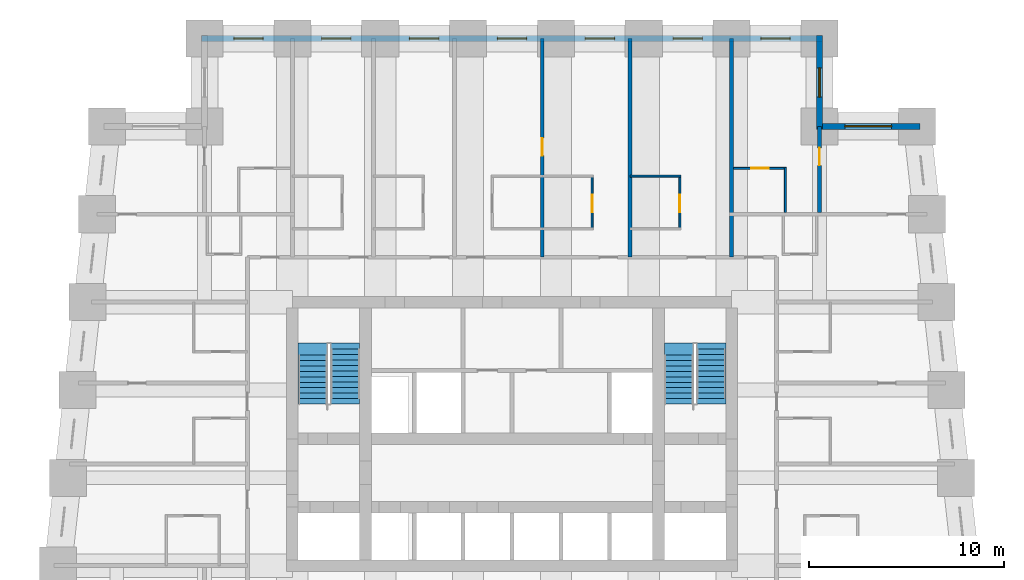
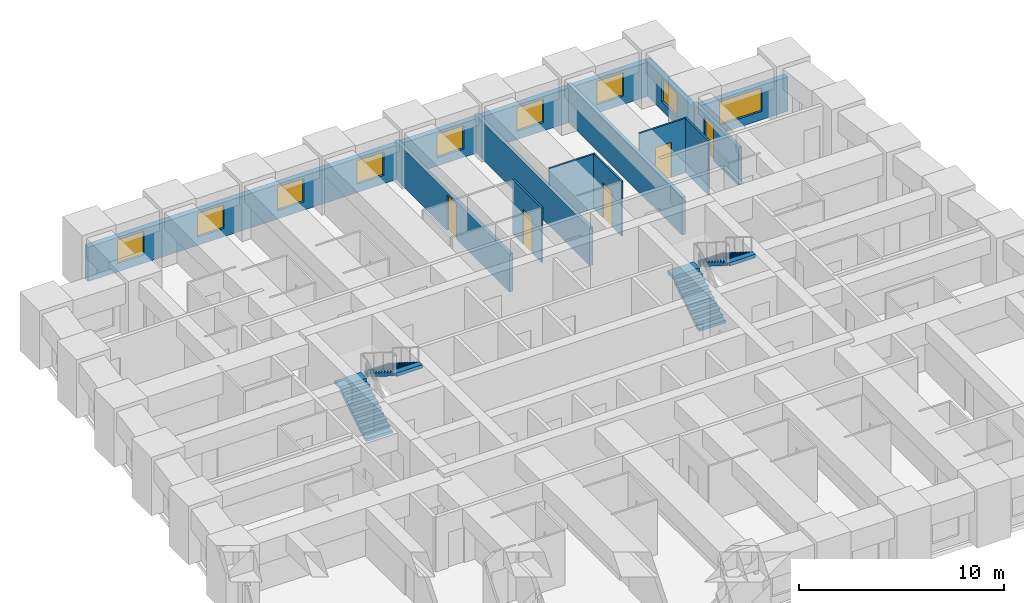
# One storey, part 7 of 8: 12 walls, 9 windows, 5 doors, 4 stair flights, 14 openings, 2 elements without a shape of their own.
"""IFC4 building model written with IfcOpenShell, lengths in metres."""

from ifc_helpers import new_model, si_unit, direction, frame, frame_2d, origin, place, context, subcontext, project, spatial, polyline, rectangle, outline, extrude, material, layer, layer_set, type_object, element, fill, aggregate, save


model = new_model("IFC4")

# Units and contexts
model_context = context("Model", 3, precision=1e-05, world=origin(), true_north=direction((0.0, 1.0)))
body_context = subcontext(model_context, "Body", "Model", "MODEL_VIEW")
ifc_project = project(units=[si_unit("LENGTHUNIT", "METRE"), si_unit("AREAUNIT", "SQUARE_METRE"), si_unit("VOLUMEUNIT", "CUBIC_METRE"), si_unit("PLANEANGLEUNIT", "RADIAN"), si_unit("MASSUNIT", "GRAM", prefix="KILO")], contexts=[model_context])

# Site, building, storey
site_placement = place(None, origin())
site = spatial("IfcSite", under=ifc_project, at=site_placement, CompositionType="ELEMENT")
building_placement = place(site_placement, origin())
building = spatial("IfcBuilding", under=site, at=building_placement, Name="Kilele Tower Hotel", CompositionType="ELEMENT")
storey_placement = place(building_placement, frame((0.0, 0.0, 40.199951171875)))
storey = spatial("IfcBuildingStorey", under=building, at=storey_placement, Name="L08", CompositionType="ELEMENT", Elevation=40.199951171875)

# Wall, opening, door
ifc_material_1 = material(Name="Moisture-resistant board")
ifc_layer_1 = layer(ifc_material_1, 0.10009765625)
ifc_layer_set_1 = layer_set([ifc_layer_1], Name="Moisture-resistant board")
wall_type_1 = type_object("IfcWallType", Name="Bathroom partition 100", PredefinedType="PLUMBINGWALL", material=ifc_layer_set_1)
wall_1_placement = place(storey_placement, frame((28.85009765625, 30.699951171875, 0.0), z_axis=(0.0, 0.0, 1.0), x_axis=(0.0, 1.0, 0.0)))
wall_1 = element("IfcWall", 1, at=wall_1_placement, inside=storey, type_object=wall_type_1, Name="Bathroom partition 100 L08", PredefinedType="PLUMBINGWALL", context=body_context, shape_type="SweptSolid", body=[
    extrude(rectangle(XDim=2.800048828125, YDim=0.10009765625, at=frame_2d((1.39990234375, 0.0))), origin(), (0.0, 0.0, 1.0), 3.25),
])
opening_1_placement = place(wall_1_placement, frame((1.7998046875, 0.0, 0.0), z_axis=(0.0, 0.0, 1.0), x_axis=(-1.0, 0.0, 0.0)))
opening_1 = element("IfcOpeningElement", 2, at=opening_1_placement, cuts=wall_1, Name="Opening D2A", PredefinedType="OPENING", context=body_context, shape_type="SweptSolid", body=[
    extrude(rectangle(XDim=0.89990234375, YDim=2.10009765625, at=frame_2d((0.449951171875, 1.050048828125))), frame((0.0, 0.06005859375, 0.0), z_axis=(0.0, -1.0, 0.0), x_axis=(1.0, 0.0, 0.0)), (0.0, 0.0, 1.0), 0.1201171875),
])
ifc_material_2 = material(Name="Timber door leaf in hardwood frame", Category="wood")
door_type_1 = type_object("IfcDoorType", Name="Bathroom door 900", OperationType="SINGLE_SWING_LEFT", PredefinedType="DOOR", material=ifc_material_2)
door_1_placement = place(opening_1_placement, origin())
door_1 = element("IfcDoor", 3, at=door_1_placement, inside=storey, type_object=door_type_1, Name="Bathroom door 0812B", OperationType="SINGLE_SWING_RIGHT", OverallHeight=2.10009765625, OverallWidth=0.89990234375, PredefinedType="DOOR", context=body_context, shape_type="SweptSolid", body=[
    extrude(rectangle(XDim=0.89990234375, YDim=2.10009765625, at=frame_2d((0.449951171875, 1.050048828125))), frame((0.0, 0.02490234375, 0.0), z_axis=(0.0, -1.0, 0.0), x_axis=(1.0, 0.0, 0.0)), (0.0, 0.0, 1.0), 0.050048828125),
])
fill(opening_1, door_1)

# Wall
wall_2_placement = place(storey_placement, frame((30.800048828125, 33.449951171875, 0.0), z_axis=(0.0, 0.0, 1.0), x_axis=(1.0, 0.0, 0.0)))
element("IfcWall", 4, at=wall_2_placement, inside=storey, type_object=wall_type_1, Name="Bathroom partition 100 L08", PredefinedType="PLUMBINGWALL", context=body_context, shape_type="SweptSolid", body=[
    extrude(rectangle(XDim=2.599853515625, YDim=0.10009765625, at=frame_2d((1.2998046875, 0.0))), origin(), (0.0, 0.0, 1.0), 3.25),
])

# Wall, opening, door
wall_3_placement = place(storey_placement, frame((33.35009765625, 30.699951171875, 0.0), z_axis=(0.0, 0.0, 1.0), x_axis=(0.0, 1.0, 0.0)))
wall_3 = element("IfcWall", 5, at=wall_3_placement, inside=storey, type_object=wall_type_1, Name="Bathroom partition 100 L08", PredefinedType="PLUMBINGWALL", context=body_context, shape_type="SweptSolid", body=[
    extrude(rectangle(XDim=2.800048828125, YDim=0.10009765625, at=frame_2d((1.39990234375, 0.0))), origin(), (0.0, 0.0, 1.0), 3.25),
])
opening_2_placement = place(wall_3_placement, frame((1.7998046875, 0.0, 0.0), z_axis=(0.0, 0.0, 1.0), x_axis=(-1.0, 0.0, 0.0)))
opening_2 = element("IfcOpeningElement", 6, at=opening_2_placement, cuts=wall_3, Name="Opening D2A", PredefinedType="OPENING", context=body_context, shape_type="SweptSolid", body=[
    extrude(rectangle(XDim=0.89990234375, YDim=2.10009765625, at=frame_2d((0.449951171875, 1.050048828125))), frame((0.0, 0.06005859375, 0.0), z_axis=(0.0, -1.0, 0.0), x_axis=(1.0, 0.0, 0.0)), (0.0, 0.0, 1.0), 0.1201171875),
])
door_2_placement = place(opening_2_placement, origin())
door_2 = element("IfcDoor", 7, at=door_2_placement, inside=storey, type_object=door_type_1, Name="Bathroom door 0813B", OperationType="SINGLE_SWING_RIGHT", OverallHeight=2.10009765625, OverallWidth=0.89990234375, PredefinedType="DOOR", context=body_context, shape_type="SweptSolid", body=[
    extrude(rectangle(XDim=0.89990234375, YDim=2.10009765625, at=frame_2d((0.449951171875, 1.050048828125))), frame((0.0, 0.02490234375, 0.0), z_axis=(0.0, -1.0, 0.0), x_axis=(1.0, 0.0, 0.0)), (0.0, 0.0, 1.0), 0.050048828125),
])
fill(opening_2, door_2)

# Wall
wall_4_placement = place(storey_placement, frame((38.75, 31.60009765625, 0.0), z_axis=(0.0, 0.0, 1.0), x_axis=(0.0, 1.0, 0.0)))
element("IfcWall", 8, at=wall_4_placement, inside=storey, type_object=wall_type_1, Name="Bathroom partition 100 L08", PredefinedType="PLUMBINGWALL", context=body_context, shape_type="SweptSolid", body=[
    extrude(rectangle(XDim=2.2998046875, YDim=0.10009765625, at=frame_2d((1.14990234375, 0.0))), origin(), (0.0, 0.0, 1.0), 3.25),
])

# Wall, opening, door
wall_5_placement = place(storey_placement, frame((36.10009765625, 33.85009765625, 0.0), z_axis=(0.0, 0.0, 1.0), x_axis=(1.0, 0.0, 0.0)))
wall_5 = element("IfcWall", 9, at=wall_5_placement, inside=storey, type_object=wall_type_1, Name="Bathroom partition 100 L08", PredefinedType="PLUMBINGWALL", context=body_context, shape_type="SweptSolid", body=[
    extrude(rectangle(XDim=2.699951171875, YDim=0.10009765625, at=frame_2d((1.35009765625, 0.0))), origin(), (0.0, 0.0, 1.0), 3.25),
])
opening_3_placement = place(wall_5_placement, frame((0.89990234375, 0.0, 0.0)))
opening_3 = element("IfcOpeningElement", 10, at=opening_3_placement, cuts=wall_5, Name="Opening D2A", PredefinedType="OPENING", context=body_context, shape_type="SweptSolid", body=[
    extrude(rectangle(XDim=0.89990234375, YDim=2.10009765625, at=frame_2d((0.449951171875, 1.050048828125))), frame((0.0, 0.06005859375, 0.0), z_axis=(0.0, -1.0, 0.0), x_axis=(1.0, 0.0, 0.0)), (0.0, 0.0, 1.0), 0.1201171875),
])
door_3_placement = place(opening_3_placement, origin())
door_3 = element("IfcDoor", 11, at=door_3_placement, inside=storey, type_object=door_type_1, Name="Bathroom door 0824B", OperationType="SINGLE_SWING_LEFT", OverallHeight=2.10009765625, OverallWidth=0.89990234375, PredefinedType="DOOR", context=body_context, shape_type="SweptSolid", body=[
    extrude(rectangle(XDim=0.89990234375, YDim=2.10009765625, at=frame_2d((0.449951171875, 1.050048828125))), frame((0.0, 0.02490234375, 0.0), z_axis=(0.0, -1.0, 0.0), x_axis=(1.0, 0.0, 0.0)), (0.0, 0.0, 1.0), 0.050048828125),
])
fill(opening_3, door_3)

ifc_material_3 = material(Name="Blockwork, plastered both sides", Category="masonry")
ifc_layer_2 = layer(ifc_material_3, 0.199951171875)
ifc_layer_set_2 = layer_set([ifc_layer_2], Name="Blockwork, plastered both sides")
wall_type_2 = type_object("IfcWallType", Name="Partition wall 200", PredefinedType="PARTITIONING", material=ifc_layer_set_2)
wall_6_placement = place(storey_placement, frame((40.5, 31.60009765625, 0.0), z_axis=(0.0, 0.0, 1.0), x_axis=(0.0, 1.0, 0.0)))
wall_6 = element("IfcWall", 12, at=wall_6_placement, inside=storey, type_object=wall_type_2, Name="Partition wall 200 L08", PredefinedType="PARTITIONING", context=body_context, shape_type="SweptSolid", body=[
    extrude(rectangle(XDim=4.39990234375, YDim=0.199951171875, at=frame_2d((2.199951171875, 0.0))), origin(), (0.0, 0.0, 1.0), 2.25),
])
opening_4_placement = place(wall_6_placement, frame((2.39990234375, 0.0, 0.0)))
opening_4 = element("IfcOpeningElement", 13, at=opening_4_placement, cuts=wall_6, Name="Opening D3", PredefinedType="OPENING", context=body_context, shape_type="SweptSolid", body=[
    extrude(rectangle(XDim=0.89990234375, YDim=2.10009765625, at=frame_2d((0.449951171875, 1.050048828125))), frame((0.0, 0.10986328125, 0.0), z_axis=(0.0, -1.0, 0.0), x_axis=(1.0, 0.0, 0.0)), (0.0, 0.0, 1.0), 0.219970703125),
])
ifc_material_4 = material(Name="Timber door leaf in hardwood frame", Category="wood")
door_type_2 = type_object("IfcDoorType", Name="Suite internal door 900", OperationType="SINGLE_SWING_LEFT", PredefinedType="DOOR", material=ifc_material_4)
door_4_placement = place(opening_4_placement, origin())
door_4 = element("IfcDoor", 14, at=door_4_placement, inside=storey, type_object=door_type_2, Name="Suite door 0825", OperationType="SINGLE_SWING_RIGHT", OverallHeight=2.10009765625, OverallWidth=0.89990234375, PredefinedType="DOOR", context=body_context, shape_type="SweptSolid", body=[
    extrude(rectangle(XDim=0.89990234375, YDim=2.10009765625, at=frame_2d((0.449951171875, 1.050048828125))), frame((0.0, 0.02490234375, 0.0), z_axis=(0.0, -1.0, 0.0), x_axis=(1.0, 0.0, 0.0)), (0.0, 0.0, 1.0), 0.050048828125),
])
fill(opening_4, door_4)

ifc_material_5 = material(Name="Blockwork, plastered both sides", Category="masonry")
ifc_layer_3 = layer(ifc_material_5, 0.199951171875)
ifc_layer_set_3 = layer_set([ifc_layer_3], Name="Blockwork, plastered both sides")
wall_type_3 = type_object("IfcWallType", Name="Party wall 200", PredefinedType="PARTITIONING", material=ifc_layer_set_3)
wall_7_placement = place(storey_placement, frame((26.300048828125, 29.300048828125, 0.0), z_axis=(0.0, 0.0, 1.0), x_axis=(0.0, 1.0, 0.0)))
wall_7 = element("IfcWall", 15, at=wall_7_placement, inside=storey, type_object=wall_type_3, Name="Party wall 200 L08", PredefinedType="PARTITIONING", context=body_context, shape_type="SweptSolid", body=[
    extrude(rectangle(XDim=11.199951171875, YDim=0.199951171875, at=frame_2d((5.60009765625, 0.0))), origin(), (0.0, 0.0, 1.0), 2.25),
])
opening_5_placement = place(wall_7_placement, frame((5.199951171875, 0.0, 0.0)))
opening_5 = element("IfcOpeningElement", 16, at=opening_5_placement, cuts=wall_7, Name="Opening D3C", PredefinedType="OPENING", context=body_context, shape_type="SweptSolid", body=[
    extrude(rectangle(XDim=0.89990234375, YDim=2.10009765625, at=frame_2d((0.449951171875, 1.050048828125))), frame((0.0, 0.10986328125, 0.0), z_axis=(0.0, -1.0, 0.0), x_axis=(1.0, 0.0, 0.0)), (0.0, 0.0, 1.0), 0.219970703125),
])
ifc_material_6 = material(Name="Timber door leaf in hardwood frame", Category="wood")
door_type_3 = type_object("IfcDoorType", Name="Connecting door 900", OperationType="SINGLE_SWING_LEFT", PredefinedType="DOOR", material=ifc_material_6)
door_5_placement = place(opening_5_placement, origin())
door_5 = element("IfcDoor", 17, at=door_5_placement, inside=storey, type_object=door_type_3, Name="Connecting door 0812", OperationType="SINGLE_SWING_LEFT", OverallHeight=2.10009765625, OverallWidth=0.89990234375, PredefinedType="DOOR", context=body_context, shape_type="SweptSolid", body=[
    extrude(rectangle(XDim=0.89990234375, YDim=2.10009765625, at=frame_2d((0.449951171875, 1.050048828125))), frame((0.0, 0.02490234375, 0.0), z_axis=(0.0, -1.0, 0.0), x_axis=(1.0, 0.0, 0.0)), (0.0, 0.0, 1.0), 0.050048828125),
])
fill(opening_5, door_5)

# Walls
for number, where, z_axis, x_axis, name in (
    (18, (30.800048828125, 29.300048828125, 0.0), (0.0, 0.0, 1.0), (0.0, 1.0, 0.0), "Party wall 200 L08"),
    (19, (36.0, 29.300048828125, 0.0), (0.0, 0.0, 1.0), (0.0, 1.0, 0.0), "Party wall 200 L08"),
):
    element("IfcWall", number, at=place(storey_placement, frame(where, z_axis=z_axis, x_axis=x_axis)), inside=storey, type_object=wall_type_3, Name=name, PredefinedType="PARTITIONING", context=body_context, shape_type="SweptSolid", body=[
        extrude(rectangle(XDim=11.199951171875, YDim=0.199951171875, at=frame_2d((5.60009765625, 0.0))), origin(), (0.0, 0.0, 1.0), 2.25),
    ])

# Wall, opening, window
ifc_material_7 = material(Name="Concrete C40/50 precast", Category="concrete")
ifc_layer_4 = layer(ifc_material_7, 0.260009765625, Name="Precast backing", Category="LoadBearing")
ifc_material_8 = material(Name="Reconstituted stone finish", Category="masonry")
ifc_layer_5 = layer(ifc_material_8, 0.0400390625, Name="Face mix", Category="Finish")
ifc_layer_set_4 = layer_set([ifc_layer_4, ifc_layer_5], Name="Precast concrete C40/50, reconstituted stone finish")
wall_type_4 = type_object("IfcWallType", Name="Precast stone facade wall 300", PredefinedType="STANDARD", material=ifc_layer_set_4)
wall_8_placement = place(storey_placement, frame((45.64990234375, 36.0, 0.0), z_axis=(0.0, 0.0, 1.0), x_axis=(-1.0, 0.0, 0.0)))
wall_8 = element("IfcWall", 20, at=wall_8_placement, inside=storey, type_object=wall_type_4, Name="Facade wall L08 edge 7", PredefinedType="STANDARD", context=body_context, shape_type="SweptSolid", body=[
    extrude(rectangle(XDim=5.2998046875, YDim=0.300048828125, at=frame_2d((2.64990234375, 0.0))), origin(), (0.0, 0.0, 1.0), 2.050048828125),
])
opening_6_placement = place(wall_8_placement, frame((1.449951171875, 0.0, 0.5)))
opening_6 = element("IfcOpeningElement", 21, at=opening_6_placement, cuts=wall_8, Name="Opening W1", PredefinedType="OPENING", context=body_context, shape_type="SweptSolid", body=[
    extrude(rectangle(XDim=2.39990234375, YDim=1.39990234375, at=frame_2d((1.199951171875, 0.699951171875))), frame((0.0, 0.159912109375, 0.0), z_axis=(0.0, -1.0, 0.0), x_axis=(1.0, 0.0, 0.0)), (0.0, 0.0, 1.0), 0.320068359375),
])
ifc_material_9 = material(Name="Aluminium frame, clear double glazing", Category="aluminium")
window_type_1 = type_object("IfcWindowType", Name="Window W1 2400 x 1400", PartitioningType="SINGLE_PANEL", PredefinedType="WINDOW", material=ifc_material_9)
window_1_placement = place(opening_6_placement, origin())
window_1 = element("IfcWindow", 22, at=window_1_placement, inside=storey, type_object=window_type_1, Name="Window L08", OverallHeight=1.39990234375, OverallWidth=2.39990234375, PartitioningType="SINGLE_PANEL", PredefinedType="WINDOW", context=body_context, shape_type="SweptSolid", body=[
    extrude(rectangle(XDim=2.39990234375, YDim=1.39990234375, at=frame_2d((1.199951171875, 0.699951171875))), frame((0.0, 0.030029296875, 0.0), z_axis=(0.0, -1.0, 0.0), x_axis=(1.0, 0.0, 0.0)), (0.0, 0.0, 1.0), 0.06005859375),
])
fill(opening_6, window_1)

wall_9_placement = place(storey_placement, frame((40.5, 35.85009765625, 0.0), z_axis=(0.0, 0.0, 1.0), x_axis=(0.0, 1.0, 0.0)))
wall_9 = element("IfcWall", 23, at=wall_9_placement, inside=storey, type_object=wall_type_4, Name="Facade wall L08 edge 8", PredefinedType="STANDARD", context=body_context, shape_type="SweptSolid", body=[
    extrude(rectangle(XDim=4.7998046875, YDim=0.300048828125, at=frame_2d((2.39990234375, 0.0))), origin(), (0.0, 0.0, 1.0), 2.050048828125),
])
opening_7_placement = place(wall_9_placement, frame((1.64990234375, 0.0, 0.5)))
opening_7 = element("IfcOpeningElement", 24, at=opening_7_placement, cuts=wall_9, Name="Opening W1", PredefinedType="OPENING", context=body_context, shape_type="SweptSolid", body=[
    extrude(rectangle(XDim=1.5, YDim=1.39990234375, at=frame_2d((0.75, 0.699951171875))), frame((0.0, 0.159912109375, 0.0), z_axis=(0.0, -1.0, 0.0), x_axis=(1.0, 0.0, 0.0)), (0.0, 0.0, 1.0), 0.320068359375),
])
ifc_material_10 = material(Name="Aluminium frame, clear double glazing", Category="aluminium")
window_type_2 = type_object("IfcWindowType", Name="Window W1 1500 x 1400", PartitioningType="SINGLE_PANEL", PredefinedType="WINDOW", material=ifc_material_10)
window_2_placement = place(opening_7_placement, origin())
window_2 = element("IfcWindow", 25, at=window_2_placement, inside=storey, type_object=window_type_2, Name="Window L08", OverallHeight=1.39990234375, OverallWidth=1.5, PartitioningType="SINGLE_PANEL", PredefinedType="WINDOW", context=body_context, shape_type="SweptSolid", body=[
    extrude(rectangle(XDim=1.5, YDim=1.39990234375, at=frame_2d((0.75, 0.699951171875))), frame((0.0, 0.030029296875, 0.0), z_axis=(0.0, -1.0, 0.0), x_axis=(1.0, 0.0, 0.0)), (0.0, 0.0, 1.0), 0.06005859375),
])
fill(opening_7, window_2)

# Wall, openings, windows
wall_10_placement = place(storey_placement, frame((40.64990234375, 40.5, 0.0), z_axis=(0.0, 0.0, 1.0), x_axis=(-1.0, 0.0, 0.0)))
wall_10 = element("IfcWall", 26, at=wall_10_placement, inside=storey, type_object=wall_type_4, Name="Facade wall L08 edge 9", PredefinedType="STANDARD", context=body_context, shape_type="SweptSolid", body=[
    extrude(rectangle(XDim=31.7998046875, YDim=0.300048828125, at=frame_2d((15.89990234375, 0.0))), origin(), (0.0, 0.0, 1.0), 2.050048828125),
])
opening_8_placement = place(wall_10_placement, frame((1.64990234375, 0.0, 0.5)))
opening_8 = element("IfcOpeningElement", 27, at=opening_8_placement, cuts=wall_10, Name="Opening W1", PredefinedType="OPENING", context=body_context, shape_type="SweptSolid", body=[
    extrude(rectangle(XDim=1.5, YDim=1.39990234375, at=frame_2d((0.75, 0.699951171875))), frame((0.0, 0.159912109375, 0.0), z_axis=(0.0, -1.0, 0.0), x_axis=(1.0, 0.0, 0.0)), (0.0, 0.0, 1.0), 0.320068359375),
])
opening_9_placement = place(wall_10_placement, frame((6.14990234375, 0.0, 0.5)))
opening_9 = element("IfcOpeningElement", 28, at=opening_9_placement, cuts=wall_10, Name="Opening W1", PredefinedType="OPENING", context=body_context, shape_type="SweptSolid", body=[
    extrude(rectangle(XDim=1.5, YDim=1.39990234375, at=frame_2d((0.75, 0.699951171875))), frame((0.0, 0.159912109375, 0.0), z_axis=(0.0, -1.0, 0.0), x_axis=(1.0, 0.0, 0.0)), (0.0, 0.0, 1.0), 0.320068359375),
])
opening_10_placement = place(wall_10_placement, frame((10.64990234375, 0.0, 0.5)))
opening_10 = element("IfcOpeningElement", 29, at=opening_10_placement, cuts=wall_10, Name="Opening W1", PredefinedType="OPENING", context=body_context, shape_type="SweptSolid", body=[
    extrude(rectangle(XDim=1.5, YDim=1.39990234375, at=frame_2d((0.75, 0.699951171875))), frame((0.0, 0.159912109375, 0.0), z_axis=(0.0, -1.0, 0.0), x_axis=(1.0, 0.0, 0.0)), (0.0, 0.0, 1.0), 0.320068359375),
])
opening_11_placement = place(wall_10_placement, frame((15.14990234375, 0.0, 0.5)))
opening_11 = element("IfcOpeningElement", 30, at=opening_11_placement, cuts=wall_10, Name="Opening W1", PredefinedType="OPENING", context=body_context, shape_type="SweptSolid", body=[
    extrude(rectangle(XDim=1.5, YDim=1.39990234375, at=frame_2d((0.75, 0.699951171875))), frame((0.0, 0.159912109375, 0.0), z_axis=(0.0, -1.0, 0.0), x_axis=(1.0, 0.0, 0.0)), (0.0, 0.0, 1.0), 0.320068359375),
])
opening_12_placement = place(wall_10_placement, frame((19.64990234375, 0.0, 0.5)))
opening_12 = element("IfcOpeningElement", 31, at=opening_12_placement, cuts=wall_10, Name="Opening W1", PredefinedType="OPENING", context=body_context, shape_type="SweptSolid", body=[
    extrude(rectangle(XDim=1.5, YDim=1.39990234375, at=frame_2d((0.75, 0.699951171875))), frame((0.0, 0.159912109375, 0.0), z_axis=(0.0, -1.0, 0.0), x_axis=(1.0, 0.0, 0.0)), (0.0, 0.0, 1.0), 0.320068359375),
])
opening_13_placement = place(wall_10_placement, frame((24.14990234375, 0.0, 0.5)))
opening_13 = element("IfcOpeningElement", 32, at=opening_13_placement, cuts=wall_10, Name="Opening W1", PredefinedType="OPENING", context=body_context, shape_type="SweptSolid", body=[
    extrude(rectangle(XDim=1.5, YDim=1.39990234375, at=frame_2d((0.75, 0.699951171875))), frame((0.0, 0.159912109375, 0.0), z_axis=(0.0, -1.0, 0.0), x_axis=(1.0, 0.0, 0.0)), (0.0, 0.0, 1.0), 0.320068359375),
])
opening_14_placement = place(wall_10_placement, frame((28.64990234375, 0.0, 0.5)))
opening_14 = element("IfcOpeningElement", 33, at=opening_14_placement, cuts=wall_10, Name="Opening W1", PredefinedType="OPENING", context=body_context, shape_type="SweptSolid", body=[
    extrude(rectangle(XDim=1.5, YDim=1.39990234375, at=frame_2d((0.75, 0.699951171875))), frame((0.0, 0.159912109375, 0.0), z_axis=(0.0, -1.0, 0.0), x_axis=(1.0, 0.0, 0.0)), (0.0, 0.0, 1.0), 0.320068359375),
])
window_3_placement = place(opening_8_placement, origin())
window_3 = element("IfcWindow", 34, at=window_3_placement, inside=storey, type_object=window_type_2, Name="Window L08", OverallHeight=1.39990234375, OverallWidth=1.5, PartitioningType="SINGLE_PANEL", PredefinedType="WINDOW", context=body_context, shape_type="SweptSolid", body=[
    extrude(rectangle(XDim=1.5, YDim=1.39990234375, at=frame_2d((0.75, 0.699951171875))), frame((0.0, 0.030029296875, 0.0), z_axis=(0.0, -1.0, 0.0), x_axis=(1.0, 0.0, 0.0)), (0.0, 0.0, 1.0), 0.06005859375),
])
fill(opening_8, window_3)
window_4_placement = place(opening_9_placement, origin())
window_4 = element("IfcWindow", 35, at=window_4_placement, inside=storey, type_object=window_type_2, Name="Window L08", OverallHeight=1.39990234375, OverallWidth=1.5, PartitioningType="SINGLE_PANEL", PredefinedType="WINDOW", context=body_context, shape_type="SweptSolid", body=[
    extrude(rectangle(XDim=1.5, YDim=1.39990234375, at=frame_2d((0.75, 0.699951171875))), frame((0.0, 0.030029296875, 0.0), z_axis=(0.0, -1.0, 0.0), x_axis=(1.0, 0.0, 0.0)), (0.0, 0.0, 1.0), 0.06005859375),
])
fill(opening_9, window_4)
window_5_placement = place(opening_10_placement, origin())
window_5 = element("IfcWindow", 36, at=window_5_placement, inside=storey, type_object=window_type_2, Name="Window L08", OverallHeight=1.39990234375, OverallWidth=1.5, PartitioningType="SINGLE_PANEL", PredefinedType="WINDOW", context=body_context, shape_type="SweptSolid", body=[
    extrude(rectangle(XDim=1.5, YDim=1.39990234375, at=frame_2d((0.75, 0.699951171875))), frame((0.0, 0.030029296875, 0.0), z_axis=(0.0, -1.0, 0.0), x_axis=(1.0, 0.0, 0.0)), (0.0, 0.0, 1.0), 0.06005859375),
])
fill(opening_10, window_5)
window_6_placement = place(opening_11_placement, origin())
window_6 = element("IfcWindow", 37, at=window_6_placement, inside=storey, type_object=window_type_2, Name="Window L08", OverallHeight=1.39990234375, OverallWidth=1.5, PartitioningType="SINGLE_PANEL", PredefinedType="WINDOW", context=body_context, shape_type="SweptSolid", body=[
    extrude(rectangle(XDim=1.5, YDim=1.39990234375, at=frame_2d((0.75, 0.699951171875))), frame((0.0, 0.030029296875, 0.0), z_axis=(0.0, -1.0, 0.0), x_axis=(1.0, 0.0, 0.0)), (0.0, 0.0, 1.0), 0.06005859375),
])
fill(opening_11, window_6)
window_7_placement = place(opening_12_placement, origin())
window_7 = element("IfcWindow", 38, at=window_7_placement, inside=storey, type_object=window_type_2, Name="Window L08", OverallHeight=1.39990234375, OverallWidth=1.5, PartitioningType="SINGLE_PANEL", PredefinedType="WINDOW", context=body_context, shape_type="SweptSolid", body=[
    extrude(rectangle(XDim=1.5, YDim=1.39990234375, at=frame_2d((0.75, 0.699951171875))), frame((0.0, 0.030029296875, 0.0), z_axis=(0.0, -1.0, 0.0), x_axis=(1.0, 0.0, 0.0)), (0.0, 0.0, 1.0), 0.06005859375),
])
fill(opening_12, window_7)
window_8_placement = place(opening_13_placement, origin())
window_8 = element("IfcWindow", 39, at=window_8_placement, inside=storey, type_object=window_type_2, Name="Window L08", OverallHeight=1.39990234375, OverallWidth=1.5, PartitioningType="SINGLE_PANEL", PredefinedType="WINDOW", context=body_context, shape_type="SweptSolid", body=[
    extrude(rectangle(XDim=1.5, YDim=1.39990234375, at=frame_2d((0.75, 0.699951171875))), frame((0.0, 0.030029296875, 0.0), z_axis=(0.0, -1.0, 0.0), x_axis=(1.0, 0.0, 0.0)), (0.0, 0.0, 1.0), 0.06005859375),
])
fill(opening_13, window_8)
window_9_placement = place(opening_14_placement, origin())
window_9 = element("IfcWindow", 40, at=window_9_placement, inside=storey, type_object=window_type_2, Name="Window L08", OverallHeight=1.39990234375, OverallWidth=1.5, PartitioningType="SINGLE_PANEL", PredefinedType="WINDOW", context=body_context, shape_type="SweptSolid", body=[
    extrude(rectangle(XDim=1.5, YDim=1.39990234375, at=frame_2d((0.75, 0.699951171875))), frame((0.0, 0.030029296875, 0.0), z_axis=(0.0, -1.0, 0.0), x_axis=(1.0, 0.0, 0.0)), (0.0, 0.0, 1.0), 0.06005859375),
])
fill(opening_14, window_9)

# Stair, stair flights
ifc_material_11 = material(Name="Precast concrete C40/50", Category="concrete")
stair_type = type_object("IfcStairType", Name="Stair 1475 x 3500", PredefinedType="HALF_TURN_STAIR", material=ifc_material_11)
stair_1_placement = place(storey_placement, origin())
stair_1 = element("IfcStair", 41, at=stair_1_placement, inside=storey, type_object=stair_type, Name="Stair 1 L08", PredefinedType="HALF_TURN_STAIR")
ifc_material_12 = material(Name="Precast concrete C40/50", Category="concrete")
stair_flight_type = type_object("IfcStairFlightType", Name="Flight 1475 riser 175.0", PredefinedType="STRAIGHT", material=ifc_material_12)
stair_flight_1_placement = place(storey_placement, frame((14.53759765625, 21.77490234375, 0.0), z_axis=(0.0, 0.0, 1.0), x_axis=(0.0, 1.0, 0.0)))
stair_flight_1 = element("IfcStairFlight", 42, at=stair_flight_1_placement, type_object=stair_flight_type, Name="ST1 flight 1", NumberOfRisers=10, NumberOfTreads=9, PredefinedType="STRAIGHT", RiserHeight=0.175, TreadLength=0.28, context=body_context, shape_type="SweptSolid", body=[
    extrude(outline(polyline([(0.0, 0.0), (0.0, 0.175048828125), (0.280029296875, 0.175048828125), (0.280029296875, 0.35009765625), (0.56005859375, 0.35009765625), (0.56005859375, 0.52490234375), (0.840087890625, 0.52490234375), (0.840087890625, 0.699951171875), (1.1201171875, 0.699951171875), (1.1201171875, 0.875), (1.39990234375, 0.875), (1.39990234375, 1.050048828125), (1.679931640625, 1.050048828125), (1.679931640625, 1.22509765625), (1.9599609375, 1.22509765625), (1.9599609375, 1.39990234375), (2.239990234375, 1.39990234375), (2.239990234375, 1.574951171875), (2.52001953125, 1.574951171875), (2.52001953125, 1.75), (2.52001953125, 1.398193359375), (0.28271484375, 0.0), (0.0, 0.0)])), frame((0.0, 0.737548828125, 0.0), z_axis=(0.0, -1.0, 0.0), x_axis=(1.0, 0.0, 0.0)), (0.0, 0.0, 1.0), 1.47509765625),
    extrude(outline(polyline([(2.52001953125, 0.737548828125), (2.52001953125, -0.7373046875), (3.1201171875, -0.7373046875), (3.1201171875, 0.737548828125), (2.52001953125, 0.737548828125)])), frame((0.0, 0.0, 1.550048828125)), (0.0, 0.0, 1.0), 0.199951171875),
])
stair_flight_2_placement = place(storey_placement, frame((16.21240234375, 24.594970703125, 1.75), z_axis=(0.0, 0.0, 1.0), x_axis=(0.0, -1.0, 0.0)))
stair_flight_2 = element("IfcStairFlight", 43, at=stair_flight_2_placement, type_object=stair_flight_type, Name="ST1 flight 2", NumberOfRisers=10, NumberOfTreads=9, PredefinedType="STRAIGHT", RiserHeight=0.175, TreadLength=0.28, context=body_context, shape_type="SweptSolid", body=[
    extrude(outline(polyline([(0.0, 0.0), (0.0, 0.175048828125), (0.280029296875, 0.175048828125), (0.280029296875, 0.35009765625), (0.56005859375, 0.35009765625), (0.56005859375, 0.52490234375), (0.840087890625, 0.52490234375), (0.840087890625, 0.699951171875), (1.1201171875, 0.699951171875), (1.1201171875, 0.875), (1.39990234375, 0.875), (1.39990234375, 1.050048828125), (1.679931640625, 1.050048828125), (1.679931640625, 1.22509765625), (1.9599609375, 1.22509765625), (1.9599609375, 1.39990234375), (2.239990234375, 1.39990234375), (2.239990234375, 1.574951171875), (2.52001953125, 1.574951171875), (2.52001953125, 1.75), (2.52001953125, 1.398193359375), (0.28271484375, 0.0), (0.0, 0.0)])), frame((0.0, 0.737548828125, 0.0), z_axis=(0.0, -1.0, 0.0), x_axis=(1.0, 0.0, 0.0)), (0.0, 0.0, 1.0), 1.47509765625),
    extrude(outline(polyline([(0.0, -0.7373046875), (0.0, 0.737548828125), (-0.300048828125, 0.737548828125), (-0.300048828125, -0.7373046875), (0.0, -0.7373046875)])), frame((0.0, 0.0, -0.199951171875)), (0.0, 0.0, 1.0), 0.199951171875),
    extrude(outline(polyline([(2.820068359375, -0.7373046875), (2.820068359375, 0.737548828125), (2.52001953125, 0.737548828125), (2.52001953125, -0.7373046875), (2.820068359375, -0.7373046875)])), frame((0.0, 0.0, 1.550048828125)), (0.0, 0.0, 1.0), 0.199951171875),
])
aggregate(stair_1, [stair_flight_1, stair_flight_2])

stair_2_placement = place(storey_placement, origin())
stair_2 = element("IfcStair", 44, at=stair_2_placement, inside=storey, type_object=stair_type, Name="Stair 2 L08", PredefinedType="HALF_TURN_STAIR")
stair_flight_3_placement = place(storey_placement, frame((33.28759765625, 21.77490234375, 0.0), z_axis=(0.0, 0.0, 1.0), x_axis=(0.0, 1.0, 0.0)))
stair_flight_3 = element("IfcStairFlight", 45, at=stair_flight_3_placement, type_object=stair_flight_type, Name="ST2 flight 1", NumberOfRisers=10, NumberOfTreads=9, PredefinedType="STRAIGHT", RiserHeight=0.175, TreadLength=0.28, context=body_context, shape_type="SweptSolid", body=[
    extrude(outline(polyline([(0.0, 0.0), (0.0, 0.175048828125), (0.280029296875, 0.175048828125), (0.280029296875, 0.35009765625), (0.56005859375, 0.35009765625), (0.56005859375, 0.52490234375), (0.840087890625, 0.52490234375), (0.840087890625, 0.699951171875), (1.1201171875, 0.699951171875), (1.1201171875, 0.875), (1.39990234375, 0.875), (1.39990234375, 1.050048828125), (1.679931640625, 1.050048828125), (1.679931640625, 1.22509765625), (1.9599609375, 1.22509765625), (1.9599609375, 1.39990234375), (2.239990234375, 1.39990234375), (2.239990234375, 1.574951171875), (2.52001953125, 1.574951171875), (2.52001953125, 1.75), (2.52001953125, 1.398193359375), (0.28271484375, 0.0), (0.0, 0.0)])), frame((0.0, 0.737548828125, 0.0), z_axis=(0.0, -1.0, 0.0), x_axis=(1.0, 0.0, 0.0)), (0.0, 0.0, 1.0), 1.47509765625),
    extrude(outline(polyline([(2.52001953125, 0.737548828125), (2.52001953125, -0.7373046875), (3.1201171875, -0.7373046875), (3.1201171875, 0.737548828125), (2.52001953125, 0.737548828125)])), frame((0.0, 0.0, 1.550048828125)), (0.0, 0.0, 1.0), 0.199951171875),
])
stair_flight_4_placement = place(storey_placement, frame((34.96240234375, 24.594970703125, 1.75), z_axis=(0.0, 0.0, 1.0), x_axis=(0.0, -1.0, 0.0)))
stair_flight_4 = element("IfcStairFlight", 46, at=stair_flight_4_placement, type_object=stair_flight_type, Name="ST2 flight 2", NumberOfRisers=10, NumberOfTreads=9, PredefinedType="STRAIGHT", RiserHeight=0.175, TreadLength=0.28, context=body_context, shape_type="SweptSolid", body=[
    extrude(outline(polyline([(0.0, 0.0), (0.0, 0.175048828125), (0.280029296875, 0.175048828125), (0.280029296875, 0.35009765625), (0.56005859375, 0.35009765625), (0.56005859375, 0.52490234375), (0.840087890625, 0.52490234375), (0.840087890625, 0.699951171875), (1.1201171875, 0.699951171875), (1.1201171875, 0.875), (1.39990234375, 0.875), (1.39990234375, 1.050048828125), (1.679931640625, 1.050048828125), (1.679931640625, 1.22509765625), (1.9599609375, 1.22509765625), (1.9599609375, 1.39990234375), (2.239990234375, 1.39990234375), (2.239990234375, 1.574951171875), (2.52001953125, 1.574951171875), (2.52001953125, 1.75), (2.52001953125, 1.398193359375), (0.28271484375, 0.0), (0.0, 0.0)])), frame((0.0, 0.737548828125, 0.0), z_axis=(0.0, -1.0, 0.0), x_axis=(1.0, 0.0, 0.0)), (0.0, 0.0, 1.0), 1.47509765625),
    extrude(outline(polyline([(0.0, -0.7373046875), (0.0, 0.737548828125), (-0.300048828125, 0.737548828125), (-0.300048828125, -0.7373046875), (0.0, -0.7373046875)])), frame((0.0, 0.0, -0.199951171875)), (0.0, 0.0, 1.0), 0.199951171875),
    extrude(outline(polyline([(2.820068359375, -0.7373046875), (2.820068359375, 0.737548828125), (2.52001953125, 0.737548828125), (2.52001953125, -0.7373046875), (2.820068359375, -0.7373046875)])), frame((0.0, 0.0, 1.550048828125)), (0.0, 0.0, 1.0), 0.199951171875),
])
aggregate(stair_2, [stair_flight_3, stair_flight_4])

save(model, "model.ifc")
